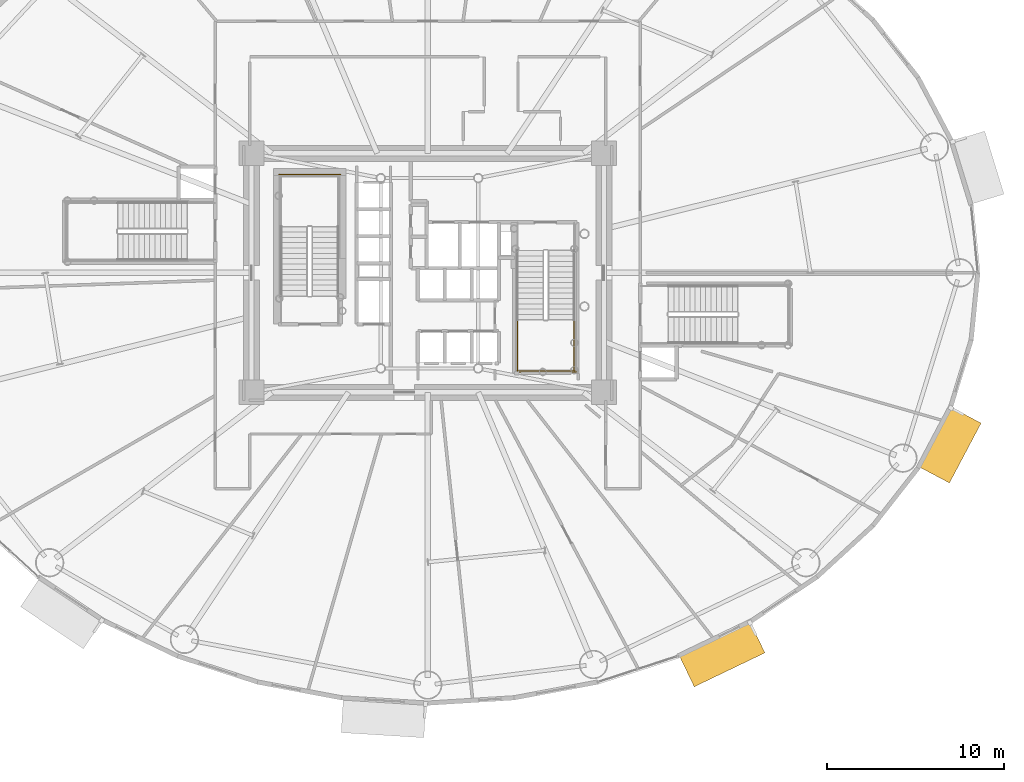
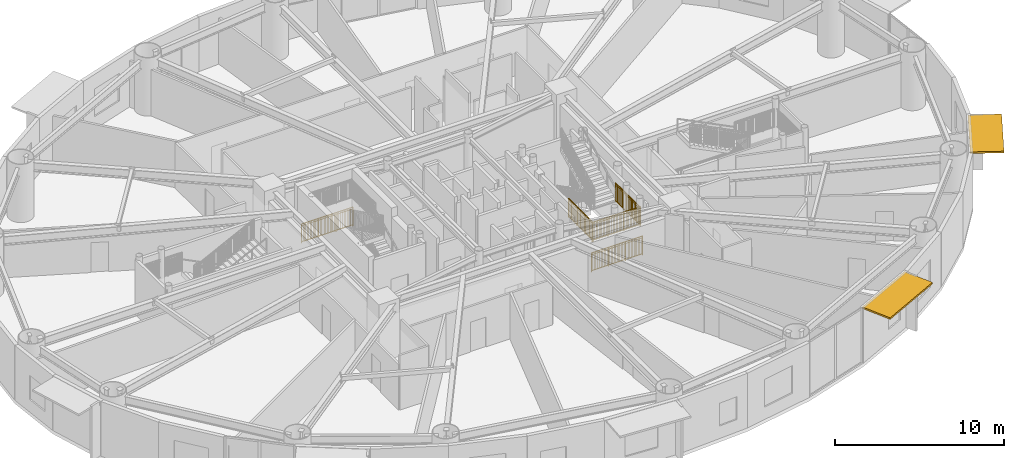
# One storey, part 27 of 32: 5 railings, 2 shading devices.
"""IFC4 building model written with IfcOpenShell, lengths in metres."""

from ifc_helpers import new_model, si_unit, direction, frame, origin, origin_2d, place, context, subcontext, project, spatial, rectangle, extrude, source, transform, mapped, material, layer, layer_set, type_object, element, save


model = new_model("IFC4")

# Units and contexts
model_context = context("Model", 3, precision=1e-05, world=origin(), true_north=direction((0.0, 1.0)))
body_context = subcontext(model_context, "Body", "Model", "MODEL_VIEW")
ifc_project = project(units=[si_unit("LENGTHUNIT", "METRE"), si_unit("AREAUNIT", "SQUARE_METRE"), si_unit("VOLUMEUNIT", "CUBIC_METRE"), si_unit("PLANEANGLEUNIT", "RADIAN"), si_unit("MASSUNIT", "GRAM", prefix="KILO")], contexts=[model_context])

# Site, building, storey
site_placement = place(None, origin())
site = spatial("IfcSite", under=ifc_project, at=site_placement, CompositionType="ELEMENT")
building_placement = place(site_placement, origin())
building = spatial("IfcBuilding", under=site, at=building_placement, Name="Linh Dai School and Residence Tower", CompositionType="ELEMENT")
storey_placement = place(building_placement, frame((0.0, 0.0, 53.39990234375)))
storey = spatial("IfcBuildingStorey", under=building, at=storey_placement, Name="L12", CompositionType="ELEMENT", Elevation=53.39990234375)

# Shading devices
ifc_material_1 = material(Name="Terracotta Ceramic Sunshade", Category="masonry")
ifc_layer = layer(ifc_material_1, 0.1201171875)
ifc_layer_set = layer_set([ifc_layer], Name="Terracotta Ceramic Sunshade")
shading_device_type = type_object("IfcShadingDeviceType", Name="SHD-TC-2000", PredefinedType="USERDEFINED", material=ifc_layer_set)
shared_shape_1 = source(origin(), body_context, "Body", "SweptSolid", [
    extrude(rectangle(XDim=4.428466796875, YDim=2.0, at=origin_2d()), origin(), (0.0, 0.0, 1.0), 0.1201171875),
])
shading_device_1_placement = place(storey_placement, frame((52.613037109375, 5.48095703125, 3.81005859375), z_axis=(0.0, 0.0, 1.0), x_axis=(-0.901584514626, -0.432603008528, 0.0)))
element("IfcShadingDevice", 1, at=shading_device_1_placement, inside=storey, type_object=shading_device_type, Name="L12 Terracotta Horizontal Sunshade Band 34", ObjectType="SUNSHADE", PredefinedType="USERDEFINED", context=body_context, shape_type="MappedRepresentation", body=[
    mapped(shared_shape_1, transform((0.0, 0.0, 0.0), x_axis=(1.0, 0.0, 0.0), y_axis=(0.0, 1.0, 0.0), z_axis=(0.0, 0.0, 1.0), scale=1.0)),
])
shared_shape_2 = source(origin(), body_context, "Body", "SweptSolid", [
    extrude(rectangle(XDim=3.824462890625, YDim=2.0, at=origin_2d()), origin(), (0.0, 0.0, 1.0), 0.1201171875),
])
shading_device_2_placement = place(storey_placement, frame((65.474609375, 17.2890625, 3.81005859375), z_axis=(0.0, 0.0, 1.0), x_axis=(-0.467611940042, -0.883933862645, 0.0)))
element("IfcShadingDevice", 2, at=shading_device_2_placement, inside=storey, type_object=shading_device_type, Name="L12 Terracotta Horizontal Sunshade Band 38", ObjectType="SUNSHADE", PredefinedType="USERDEFINED", context=body_context, shape_type="MappedRepresentation", body=[
    mapped(shared_shape_2, transform((0.0, 0.0, 0.0), x_axis=(1.0, 0.0, 0.0), y_axis=(0.0, 1.0, 0.0), z_axis=(0.0, 0.0, 1.0), scale=1.0)),
])

# Railings
ifc_material_2 = material(Name="Structural Steel S355JR", Category="steel")
railing_type = type_object("IfcRailingType", Name="RL-ST-GUARD-1400", PredefinedType="GUARDRAIL", material=ifc_material_2)
shared_shape_3 = source(origin(), body_context, "Body", "SweptSolid", [
    extrude(rectangle(XDim=0.048095703125, YDim=0.048095703125, at=origin_2d()), frame((0.0, 0.0, 1.3759765625), z_axis=(-1.0, 0.0, 0.0), x_axis=(0.0, -1.0, 0.0)), (0.0, 0.0, 1.0), 3.5),
    extrude(rectangle(XDim=0.048095703125, YDim=0.048095703125, at=origin_2d()), frame((0.0, 0.0, 0.10009765625), z_axis=(-1.0, 0.0, 0.0), x_axis=(0.0, -1.0, 0.0)), (0.0, 0.0, 1.0), 3.5),
    extrude(rectangle(XDim=0.030029296875, YDim=0.030029296875, at=origin_2d()), frame((0.0, 0.0, 1.239990234375), z_axis=(-1.0, 0.0, 0.0), x_axis=(0.0, -1.0, 0.0)), (0.0, 0.0, 1.0), 3.5),
    extrude(rectangle(XDim=0.02001953125, YDim=0.02001953125, at=origin_2d()), frame((-0.09716796875, 0.0, 0.10009765625)), (0.0, 0.0, 1.0), 1.251708984375),
    extrude(rectangle(XDim=0.02001953125, YDim=0.02001953125, at=origin_2d()), frame((-0.1943359375, 0.0, 0.10009765625)), (0.0, 0.0, 1.0), 1.251708984375),
    extrude(rectangle(XDim=0.02001953125, YDim=0.02001953125, at=origin_2d()), frame((-0.291748046875, 0.0, 0.10009765625)), (0.0, 0.0, 1.0), 1.251708984375),
    extrude(rectangle(XDim=0.02001953125, YDim=0.02001953125, at=origin_2d()), frame((-0.388916015625, 0.0, 0.10009765625)), (0.0, 0.0, 1.0), 1.251708984375),
    extrude(rectangle(XDim=0.02001953125, YDim=0.02001953125, at=origin_2d()), frame((-0.486083984375, 0.0, 0.10009765625)), (0.0, 0.0, 1.0), 1.251708984375),
    extrude(rectangle(XDim=0.02001953125, YDim=0.02001953125, at=origin_2d()), frame((-0.583251953125, 0.0, 0.10009765625)), (0.0, 0.0, 1.0), 1.251708984375),
    extrude(rectangle(XDim=0.02001953125, YDim=0.02001953125, at=origin_2d()), frame((-0.6806640625, 0.0, 0.10009765625)), (0.0, 0.0, 1.0), 1.251708984375),
    extrude(rectangle(XDim=0.02001953125, YDim=0.02001953125, at=origin_2d()), frame((-0.77783203125, 0.0, 0.10009765625)), (0.0, 0.0, 1.0), 1.251708984375),
    extrude(rectangle(XDim=0.02001953125, YDim=0.02001953125, at=origin_2d()), frame((-0.875, 0.0, 0.10009765625)), (0.0, 0.0, 1.0), 1.251708984375),
    extrude(rectangle(XDim=0.02001953125, YDim=0.02001953125, at=origin_2d()), frame((-0.97216796875, 0.0, 0.10009765625)), (0.0, 0.0, 1.0), 1.251708984375),
    extrude(rectangle(XDim=0.02001953125, YDim=0.02001953125, at=origin_2d()), frame((-1.0693359375, 0.0, 0.10009765625)), (0.0, 0.0, 1.0), 1.251708984375),
    extrude(rectangle(XDim=0.02001953125, YDim=0.02001953125, at=origin_2d()), frame((-1.263916015625, 0.0, 0.10009765625)), (0.0, 0.0, 1.0), 1.251708984375),
    extrude(rectangle(XDim=0.02001953125, YDim=0.02001953125, at=origin_2d()), frame((-1.361083984375, 0.0, 0.10009765625)), (0.0, 0.0, 1.0), 1.251708984375),
    extrude(rectangle(XDim=0.02001953125, YDim=0.02001953125, at=origin_2d()), frame((-1.458251953125, 0.0, 0.10009765625)), (0.0, 0.0, 1.0), 1.251708984375),
    extrude(rectangle(XDim=0.02001953125, YDim=0.02001953125, at=origin_2d()), frame((-1.5556640625, 0.0, 0.10009765625)), (0.0, 0.0, 1.0), 1.251708984375),
    extrude(rectangle(XDim=0.02001953125, YDim=0.02001953125, at=origin_2d()), frame((-1.65283203125, 0.0, 0.10009765625)), (0.0, 0.0, 1.0), 1.251708984375),
    extrude(rectangle(XDim=0.02001953125, YDim=0.02001953125, at=origin_2d()), frame((-1.75, 0.0, 0.10009765625)), (0.0, 0.0, 1.0), 1.251708984375),
    extrude(rectangle(XDim=0.02001953125, YDim=0.02001953125, at=origin_2d()), frame((-1.84716796875, 0.0, 0.10009765625)), (0.0, 0.0, 1.0), 1.251708984375),
    extrude(rectangle(XDim=0.02001953125, YDim=0.02001953125, at=origin_2d()), frame((-1.9443359375, 0.0, 0.10009765625)), (0.0, 0.0, 1.0), 1.251708984375),
    extrude(rectangle(XDim=0.02001953125, YDim=0.02001953125, at=origin_2d()), frame((-2.041748046875, 0.0, 0.10009765625)), (0.0, 0.0, 1.0), 1.251708984375),
    extrude(rectangle(XDim=0.02001953125, YDim=0.02001953125, at=origin_2d()), frame((-2.138916015625, 0.0, 0.10009765625)), (0.0, 0.0, 1.0), 1.251708984375),
    extrude(rectangle(XDim=0.02001953125, YDim=0.02001953125, at=origin_2d()), frame((-2.236083984375, 0.0, 0.10009765625)), (0.0, 0.0, 1.0), 1.251708984375),
    extrude(rectangle(XDim=0.02001953125, YDim=0.02001953125, at=origin_2d()), frame((-2.4306640625, 0.0, 0.10009765625)), (0.0, 0.0, 1.0), 1.251708984375),
    extrude(rectangle(XDim=0.02001953125, YDim=0.02001953125, at=origin_2d()), frame((-2.52783203125, 0.0, 0.10009765625)), (0.0, 0.0, 1.0), 1.251708984375),
    extrude(rectangle(XDim=0.02001953125, YDim=0.02001953125, at=origin_2d()), frame((-2.625, 0.0, 0.10009765625)), (0.0, 0.0, 1.0), 1.251708984375),
    extrude(rectangle(XDim=0.02001953125, YDim=0.02001953125, at=origin_2d()), frame((-2.72216796875, 0.0, 0.10009765625)), (0.0, 0.0, 1.0), 1.251708984375),
    extrude(rectangle(XDim=0.02001953125, YDim=0.02001953125, at=origin_2d()), frame((-2.8193359375, 0.0, 0.10009765625)), (0.0, 0.0, 1.0), 1.251708984375),
    extrude(rectangle(XDim=0.02001953125, YDim=0.02001953125, at=origin_2d()), frame((-2.916748046875, 0.0, 0.10009765625)), (0.0, 0.0, 1.0), 1.251708984375),
    extrude(rectangle(XDim=0.02001953125, YDim=0.02001953125, at=origin_2d()), frame((-3.013916015625, 0.0, 0.10009765625)), (0.0, 0.0, 1.0), 1.251708984375),
    extrude(rectangle(XDim=0.02001953125, YDim=0.02001953125, at=origin_2d()), frame((-3.111083984375, 0.0, 0.10009765625)), (0.0, 0.0, 1.0), 1.251708984375),
    extrude(rectangle(XDim=0.02001953125, YDim=0.02001953125, at=origin_2d()), frame((-3.208251953125, 0.0, 0.10009765625)), (0.0, 0.0, 1.0), 1.251708984375),
    extrude(rectangle(XDim=0.02001953125, YDim=0.02001953125, at=origin_2d()), frame((-3.3056640625, 0.0, 0.10009765625)), (0.0, 0.0, 1.0), 1.251708984375),
    extrude(rectangle(XDim=0.02001953125, YDim=0.02001953125, at=origin_2d()), frame((-3.40283203125, 0.0, 0.10009765625)), (0.0, 0.0, 1.0), 1.251708984375),
    extrude(rectangle(XDim=0.0419921875, YDim=0.0419921875, at=origin_2d()), origin(), (0.0, 0.0, 1.0), 1.3759765625),
    extrude(rectangle(XDim=0.0419921875, YDim=0.0419921875, at=origin_2d()), frame((-1.166748046875, 0.0, 0.0)), (0.0, 0.0, 1.0), 1.3759765625),
    extrude(rectangle(XDim=0.0419921875, YDim=0.0419921875, at=origin_2d()), frame((-2.333251953125, 0.0, 0.0)), (0.0, 0.0, 1.0), 1.3759765625),
    extrude(rectangle(XDim=0.0419921875, YDim=0.0419921875, at=origin_2d()), frame((-3.5, 0.0, 0.0)), (0.0, 0.0, 1.0), 1.3759765625),
])
railing_1_placement = place(storey_placement, frame((31.080078125, 32.550048828125, 0.0)))
element("IfcRailing", 3, at=railing_1_placement, inside=storey, type_object=railing_type, Name="L12 ST1 stair guard 12", PredefinedType="GUARDRAIL", context=body_context, shape_type="MappedRepresentation", body=[
    mapped(shared_shape_3, transform((0.0, 0.0, 0.0), x_axis=(1.0, 0.0, 0.0), y_axis=(0.0, 1.0, 0.0), z_axis=(0.0, 0.0, 1.0), scale=1.0)),
])
shared_shape_4 = source(origin(), body_context, "Body", "SweptSolid", [
    extrude(rectangle(XDim=0.048095703125, YDim=0.048095703125, at=origin_2d()), frame((0.0, 0.0, 1.3759765625), z_axis=(1.0, 0.0, 0.0), x_axis=(0.0, 1.0, 0.0)), (0.0, 0.0, 1.0), 3.300048828125),
    extrude(rectangle(XDim=0.048095703125, YDim=0.048095703125, at=origin_2d()), frame((0.0, 0.0, 0.10009765625), z_axis=(1.0, 0.0, 0.0), x_axis=(0.0, 1.0, 0.0)), (0.0, 0.0, 1.0), 3.300048828125),
    extrude(rectangle(XDim=0.030029296875, YDim=0.030029296875, at=origin_2d()), frame((0.0, 0.0, 1.239990234375), z_axis=(1.0, 0.0, 0.0), x_axis=(0.0, 1.0, 0.0)), (0.0, 0.0, 1.0), 3.300048828125),
    extrude(rectangle(XDim=0.02001953125, YDim=0.02001953125, at=origin_2d()), frame((0.09716796875, 0.0, 0.10009765625)), (0.0, 0.0, 1.0), 1.251708984375),
    extrude(rectangle(XDim=0.02001953125, YDim=0.02001953125, at=origin_2d()), frame((0.194091796875, 0.0, 0.10009765625)), (0.0, 0.0, 1.0), 1.251708984375),
    extrude(rectangle(XDim=0.02001953125, YDim=0.02001953125, at=origin_2d()), frame((0.291259765625, 0.0, 0.10009765625)), (0.0, 0.0, 1.0), 1.251708984375),
    extrude(rectangle(XDim=0.02001953125, YDim=0.02001953125, at=origin_2d()), frame((0.38818359375, 0.0, 0.10009765625)), (0.0, 0.0, 1.0), 1.251708984375),
    extrude(rectangle(XDim=0.02001953125, YDim=0.02001953125, at=origin_2d()), frame((0.4853515625, 0.0, 0.10009765625)), (0.0, 0.0, 1.0), 1.251708984375),
    extrude(rectangle(XDim=0.02001953125, YDim=0.02001953125, at=origin_2d()), frame((0.582275390625, 0.0, 0.10009765625)), (0.0, 0.0, 1.0), 1.251708984375),
    extrude(rectangle(XDim=0.02001953125, YDim=0.02001953125, at=origin_2d()), frame((0.679443359375, 0.0, 0.10009765625)), (0.0, 0.0, 1.0), 1.251708984375),
    extrude(rectangle(XDim=0.02001953125, YDim=0.02001953125, at=origin_2d()), frame((0.7763671875, 0.0, 0.10009765625)), (0.0, 0.0, 1.0), 1.251708984375),
    extrude(rectangle(XDim=0.02001953125, YDim=0.02001953125, at=origin_2d()), frame((0.87353515625, 0.0, 0.10009765625)), (0.0, 0.0, 1.0), 1.251708984375),
    extrude(rectangle(XDim=0.02001953125, YDim=0.02001953125, at=origin_2d()), frame((0.970703125, 0.0, 0.10009765625)), (0.0, 0.0, 1.0), 1.251708984375),
    extrude(rectangle(XDim=0.02001953125, YDim=0.02001953125, at=origin_2d()), frame((1.164794921875, 0.0, 0.10009765625)), (0.0, 0.0, 1.0), 1.251708984375),
    extrude(rectangle(XDim=0.02001953125, YDim=0.02001953125, at=origin_2d()), frame((1.26171875, 0.0, 0.10009765625)), (0.0, 0.0, 1.0), 1.251708984375),
    extrude(rectangle(XDim=0.02001953125, YDim=0.02001953125, at=origin_2d()), frame((1.35888671875, 0.0, 0.10009765625)), (0.0, 0.0, 1.0), 1.251708984375),
    extrude(rectangle(XDim=0.02001953125, YDim=0.02001953125, at=origin_2d()), frame((1.455810546875, 0.0, 0.10009765625)), (0.0, 0.0, 1.0), 1.251708984375),
    extrude(rectangle(XDim=0.02001953125, YDim=0.02001953125, at=origin_2d()), frame((1.552978515625, 0.0, 0.10009765625)), (0.0, 0.0, 1.0), 1.251708984375),
    extrude(rectangle(XDim=0.02001953125, YDim=0.02001953125, at=origin_2d()), frame((1.64990234375, 0.0, 0.10009765625)), (0.0, 0.0, 1.0), 1.251708984375),
    extrude(rectangle(XDim=0.02001953125, YDim=0.02001953125, at=origin_2d()), frame((1.7470703125, 0.0, 0.10009765625)), (0.0, 0.0, 1.0), 1.251708984375),
    extrude(rectangle(XDim=0.02001953125, YDim=0.02001953125, at=origin_2d()), frame((1.84423828125, 0.0, 0.10009765625)), (0.0, 0.0, 1.0), 1.251708984375),
    extrude(rectangle(XDim=0.02001953125, YDim=0.02001953125, at=origin_2d()), frame((1.941162109375, 0.0, 0.10009765625)), (0.0, 0.0, 1.0), 1.251708984375),
    extrude(rectangle(XDim=0.02001953125, YDim=0.02001953125, at=origin_2d()), frame((2.038330078125, 0.0, 0.10009765625)), (0.0, 0.0, 1.0), 1.251708984375),
    extrude(rectangle(XDim=0.02001953125, YDim=0.02001953125, at=origin_2d()), frame((2.13525390625, 0.0, 0.10009765625)), (0.0, 0.0, 1.0), 1.251708984375),
    extrude(rectangle(XDim=0.02001953125, YDim=0.02001953125, at=origin_2d()), frame((2.329345703125, 0.0, 0.10009765625)), (0.0, 0.0, 1.0), 1.251708984375),
    extrude(rectangle(XDim=0.02001953125, YDim=0.02001953125, at=origin_2d()), frame((2.426513671875, 0.0, 0.10009765625)), (0.0, 0.0, 1.0), 1.251708984375),
    extrude(rectangle(XDim=0.02001953125, YDim=0.02001953125, at=origin_2d()), frame((2.523681640625, 0.0, 0.10009765625)), (0.0, 0.0, 1.0), 1.251708984375),
    extrude(rectangle(XDim=0.02001953125, YDim=0.02001953125, at=origin_2d()), frame((2.62060546875, 0.0, 0.10009765625)), (0.0, 0.0, 1.0), 1.251708984375),
    extrude(rectangle(XDim=0.02001953125, YDim=0.02001953125, at=origin_2d()), frame((2.7177734375, 0.0, 0.10009765625)), (0.0, 0.0, 1.0), 1.251708984375),
    extrude(rectangle(XDim=0.02001953125, YDim=0.02001953125, at=origin_2d()), frame((2.814697265625, 0.0, 0.10009765625)), (0.0, 0.0, 1.0), 1.251708984375),
    extrude(rectangle(XDim=0.02001953125, YDim=0.02001953125, at=origin_2d()), frame((2.911865234375, 0.0, 0.10009765625)), (0.0, 0.0, 1.0), 1.251708984375),
    extrude(rectangle(XDim=0.02001953125, YDim=0.02001953125, at=origin_2d()), frame((3.0087890625, 0.0, 0.10009765625)), (0.0, 0.0, 1.0), 1.251708984375),
    extrude(rectangle(XDim=0.02001953125, YDim=0.02001953125, at=origin_2d()), frame((3.10595703125, 0.0, 0.10009765625)), (0.0, 0.0, 1.0), 1.251708984375),
    extrude(rectangle(XDim=0.02001953125, YDim=0.02001953125, at=origin_2d()), frame((3.202880859375, 0.0, 0.10009765625)), (0.0, 0.0, 1.0), 1.251708984375),
    extrude(rectangle(XDim=0.0419921875, YDim=0.0419921875, at=origin_2d()), origin(), (0.0, 0.0, 1.0), 1.3759765625),
    extrude(rectangle(XDim=0.0419921875, YDim=0.0419921875, at=origin_2d()), frame((1.10009765625, 0.0, 0.0)), (0.0, 0.0, 1.0), 1.3759765625),
    extrude(rectangle(XDim=0.0419921875, YDim=0.0419921875, at=origin_2d()), frame((2.199951171875, 0.0, 0.0)), (0.0, 0.0, 1.0), 1.3759765625),
    extrude(rectangle(XDim=0.0419921875, YDim=0.0419921875, at=origin_2d()), frame((3.300048828125, 0.0, 0.0)), (0.0, 0.0, 1.0), 1.3759765625),
])
railing_2_placement = place(storey_placement, frame((41.02001953125, 21.5, 2.10009765625)))
element("IfcRailing", 4, at=railing_2_placement, inside=storey, type_object=railing_type, Name="L12 ST2 stair guard 5", PredefinedType="GUARDRAIL", context=body_context, shape_type="MappedRepresentation", body=[
    mapped(shared_shape_4, transform((0.0, 0.0, 0.0), x_axis=(1.0, 0.0, 0.0), y_axis=(0.0, 1.0, 0.0), z_axis=(0.0, 0.0, 1.0), scale=1.0)),
])
shared_shape_5 = source(origin(), body_context, "Body", "SweptSolid", [
    extrude(rectangle(XDim=0.048095703125, YDim=0.048095703125, at=origin_2d()), frame((0.0, 0.0, 1.3759765625), z_axis=(1.0, 0.0, 0.0), x_axis=(0.0, 1.0, 0.0)), (0.0, 0.0, 1.0), 3.5),
    extrude(rectangle(XDim=0.048095703125, YDim=0.048095703125, at=origin_2d()), frame((0.0, 0.0, 0.10009765625), z_axis=(1.0, 0.0, 0.0), x_axis=(0.0, 1.0, 0.0)), (0.0, 0.0, 1.0), 3.5),
    extrude(rectangle(XDim=0.030029296875, YDim=0.030029296875, at=origin_2d()), frame((0.0, 0.0, 1.239990234375), z_axis=(1.0, 0.0, 0.0), x_axis=(0.0, 1.0, 0.0)), (0.0, 0.0, 1.0), 3.5),
    extrude(rectangle(XDim=0.02001953125, YDim=0.02001953125, at=origin_2d()), frame((0.09716796875, 0.0, 0.10009765625)), (0.0, 0.0, 1.0), 1.251708984375),
    extrude(rectangle(XDim=0.02001953125, YDim=0.02001953125, at=origin_2d()), frame((0.1943359375, 0.0, 0.10009765625)), (0.0, 0.0, 1.0), 1.251708984375),
    extrude(rectangle(XDim=0.02001953125, YDim=0.02001953125, at=origin_2d()), frame((0.291748046875, 0.0, 0.10009765625)), (0.0, 0.0, 1.0), 1.251708984375),
    extrude(rectangle(XDim=0.02001953125, YDim=0.02001953125, at=origin_2d()), frame((0.388916015625, 0.0, 0.10009765625)), (0.0, 0.0, 1.0), 1.251708984375),
    extrude(rectangle(XDim=0.02001953125, YDim=0.02001953125, at=origin_2d()), frame((0.486083984375, 0.0, 0.10009765625)), (0.0, 0.0, 1.0), 1.251708984375),
    extrude(rectangle(XDim=0.02001953125, YDim=0.02001953125, at=origin_2d()), frame((0.583251953125, 0.0, 0.10009765625)), (0.0, 0.0, 1.0), 1.251708984375),
    extrude(rectangle(XDim=0.02001953125, YDim=0.02001953125, at=origin_2d()), frame((0.6806640625, 0.0, 0.10009765625)), (0.0, 0.0, 1.0), 1.251708984375),
    extrude(rectangle(XDim=0.02001953125, YDim=0.02001953125, at=origin_2d()), frame((0.77783203125, 0.0, 0.10009765625)), (0.0, 0.0, 1.0), 1.251708984375),
    extrude(rectangle(XDim=0.02001953125, YDim=0.02001953125, at=origin_2d()), frame((0.875, 0.0, 0.10009765625)), (0.0, 0.0, 1.0), 1.251708984375),
    extrude(rectangle(XDim=0.02001953125, YDim=0.02001953125, at=origin_2d()), frame((0.97216796875, 0.0, 0.10009765625)), (0.0, 0.0, 1.0), 1.251708984375),
    extrude(rectangle(XDim=0.02001953125, YDim=0.02001953125, at=origin_2d()), frame((1.0693359375, 0.0, 0.10009765625)), (0.0, 0.0, 1.0), 1.251708984375),
    extrude(rectangle(XDim=0.02001953125, YDim=0.02001953125, at=origin_2d()), frame((1.263916015625, 0.0, 0.10009765625)), (0.0, 0.0, 1.0), 1.251708984375),
    extrude(rectangle(XDim=0.02001953125, YDim=0.02001953125, at=origin_2d()), frame((1.361083984375, 0.0, 0.10009765625)), (0.0, 0.0, 1.0), 1.251708984375),
    extrude(rectangle(XDim=0.02001953125, YDim=0.02001953125, at=origin_2d()), frame((1.458251953125, 0.0, 0.10009765625)), (0.0, 0.0, 1.0), 1.251708984375),
    extrude(rectangle(XDim=0.02001953125, YDim=0.02001953125, at=origin_2d()), frame((1.5556640625, 0.0, 0.10009765625)), (0.0, 0.0, 1.0), 1.251708984375),
    extrude(rectangle(XDim=0.02001953125, YDim=0.02001953125, at=origin_2d()), frame((1.65283203125, 0.0, 0.10009765625)), (0.0, 0.0, 1.0), 1.251708984375),
    extrude(rectangle(XDim=0.02001953125, YDim=0.02001953125, at=origin_2d()), frame((1.75, 0.0, 0.10009765625)), (0.0, 0.0, 1.0), 1.251708984375),
    extrude(rectangle(XDim=0.02001953125, YDim=0.02001953125, at=origin_2d()), frame((1.84716796875, 0.0, 0.10009765625)), (0.0, 0.0, 1.0), 1.251708984375),
    extrude(rectangle(XDim=0.02001953125, YDim=0.02001953125, at=origin_2d()), frame((1.9443359375, 0.0, 0.10009765625)), (0.0, 0.0, 1.0), 1.251708984375),
    extrude(rectangle(XDim=0.02001953125, YDim=0.02001953125, at=origin_2d()), frame((2.041748046875, 0.0, 0.10009765625)), (0.0, 0.0, 1.0), 1.251708984375),
    extrude(rectangle(XDim=0.02001953125, YDim=0.02001953125, at=origin_2d()), frame((2.138916015625, 0.0, 0.10009765625)), (0.0, 0.0, 1.0), 1.251708984375),
    extrude(rectangle(XDim=0.02001953125, YDim=0.02001953125, at=origin_2d()), frame((2.236083984375, 0.0, 0.10009765625)), (0.0, 0.0, 1.0), 1.251708984375),
    extrude(rectangle(XDim=0.02001953125, YDim=0.02001953125, at=origin_2d()), frame((2.4306640625, 0.0, 0.10009765625)), (0.0, 0.0, 1.0), 1.251708984375),
    extrude(rectangle(XDim=0.02001953125, YDim=0.02001953125, at=origin_2d()), frame((2.52783203125, 0.0, 0.10009765625)), (0.0, 0.0, 1.0), 1.251708984375),
    extrude(rectangle(XDim=0.02001953125, YDim=0.02001953125, at=origin_2d()), frame((2.625, 0.0, 0.10009765625)), (0.0, 0.0, 1.0), 1.251708984375),
    extrude(rectangle(XDim=0.02001953125, YDim=0.02001953125, at=origin_2d()), frame((2.72216796875, 0.0, 0.10009765625)), (0.0, 0.0, 1.0), 1.251708984375),
    extrude(rectangle(XDim=0.02001953125, YDim=0.02001953125, at=origin_2d()), frame((2.8193359375, 0.0, 0.10009765625)), (0.0, 0.0, 1.0), 1.251708984375),
    extrude(rectangle(XDim=0.02001953125, YDim=0.02001953125, at=origin_2d()), frame((2.916748046875, 0.0, 0.10009765625)), (0.0, 0.0, 1.0), 1.251708984375),
    extrude(rectangle(XDim=0.02001953125, YDim=0.02001953125, at=origin_2d()), frame((3.013916015625, 0.0, 0.10009765625)), (0.0, 0.0, 1.0), 1.251708984375),
    extrude(rectangle(XDim=0.02001953125, YDim=0.02001953125, at=origin_2d()), frame((3.111083984375, 0.0, 0.10009765625)), (0.0, 0.0, 1.0), 1.251708984375),
    extrude(rectangle(XDim=0.02001953125, YDim=0.02001953125, at=origin_2d()), frame((3.208251953125, 0.0, 0.10009765625)), (0.0, 0.0, 1.0), 1.251708984375),
    extrude(rectangle(XDim=0.02001953125, YDim=0.02001953125, at=origin_2d()), frame((3.3056640625, 0.0, 0.10009765625)), (0.0, 0.0, 1.0), 1.251708984375),
    extrude(rectangle(XDim=0.02001953125, YDim=0.02001953125, at=origin_2d()), frame((3.40283203125, 0.0, 0.10009765625)), (0.0, 0.0, 1.0), 1.251708984375),
    extrude(rectangle(XDim=0.0419921875, YDim=0.0419921875, at=origin_2d()), origin(), (0.0, 0.0, 1.0), 1.3759765625),
    extrude(rectangle(XDim=0.0419921875, YDim=0.0419921875, at=origin_2d()), frame((1.166748046875, 0.0, 0.0)), (0.0, 0.0, 1.0), 1.3759765625),
    extrude(rectangle(XDim=0.0419921875, YDim=0.0419921875, at=origin_2d()), frame((2.333251953125, 0.0, 0.0)), (0.0, 0.0, 1.0), 1.3759765625),
    extrude(rectangle(XDim=0.0419921875, YDim=0.0419921875, at=origin_2d()), frame((3.5, 0.0, 0.0)), (0.0, 0.0, 1.0), 1.3759765625),
])
railing_3_placement = place(storey_placement, frame((40.919921875, 21.39990234375, 0.0)))
element("IfcRailing", 5, at=railing_3_placement, inside=storey, type_object=railing_type, Name="L12 ST2 stair guard 12", PredefinedType="GUARDRAIL", context=body_context, shape_type="MappedRepresentation", body=[
    mapped(shared_shape_5, transform((0.0, 0.0, 0.0), x_axis=(1.0, 0.0, 0.0), y_axis=(0.0, 1.0, 0.0), z_axis=(0.0, 0.0, 1.0), scale=1.0)),
])
shared_shape_6 = source(origin(), body_context, "Body", "SweptSolid", [
    extrude(rectangle(XDim=0.048095703125, YDim=0.048095703125, at=origin_2d()), frame((0.0, 0.0, 1.3759765625), z_axis=(0.0, -1.0, 0.0), x_axis=(1.0, 0.0, 0.0)), (0.0, 0.0, 1.0), 2.900146484375),
    extrude(rectangle(XDim=0.048095703125, YDim=0.048095703125, at=origin_2d()), frame((0.0, 0.0, 0.10009765625), z_axis=(0.0, -1.0, 0.0), x_axis=(1.0, 0.0, 0.0)), (0.0, 0.0, 1.0), 2.900146484375),
    extrude(rectangle(XDim=0.030029296875, YDim=0.030029296875, at=origin_2d()), frame((0.0, 0.0, 1.239990234375), z_axis=(0.0, -1.0, 0.0), x_axis=(1.0, 0.0, 0.0)), (0.0, 0.0, 1.0), 2.900146484375),
    extrude(rectangle(XDim=0.02001953125, YDim=0.02001953125, at=origin_2d()), frame((0.0, -0.0966796875, 0.10009765625)), (0.0, 0.0, 1.0), 1.251708984375),
    extrude(rectangle(XDim=0.02001953125, YDim=0.02001953125, at=origin_2d()), frame((0.0, -0.193359375, 0.10009765625)), (0.0, 0.0, 1.0), 1.251708984375),
    extrude(rectangle(XDim=0.02001953125, YDim=0.02001953125, at=origin_2d()), frame((0.0, -0.2900390625, 0.10009765625)), (0.0, 0.0, 1.0), 1.251708984375),
    extrude(rectangle(XDim=0.02001953125, YDim=0.02001953125, at=origin_2d()), frame((0.0, -0.38671875, 0.10009765625)), (0.0, 0.0, 1.0), 1.251708984375),
    extrude(rectangle(XDim=0.02001953125, YDim=0.02001953125, at=origin_2d()), frame((0.0, -0.4833984375, 0.10009765625)), (0.0, 0.0, 1.0), 1.251708984375),
    extrude(rectangle(XDim=0.02001953125, YDim=0.02001953125, at=origin_2d()), frame((0.0, -0.580078125, 0.10009765625)), (0.0, 0.0, 1.0), 1.251708984375),
    extrude(rectangle(XDim=0.02001953125, YDim=0.02001953125, at=origin_2d()), frame((0.0, -0.6767578125, 0.10009765625)), (0.0, 0.0, 1.0), 1.251708984375),
    extrude(rectangle(XDim=0.02001953125, YDim=0.02001953125, at=origin_2d()), frame((0.0, -0.7734375, 0.10009765625)), (0.0, 0.0, 1.0), 1.251708984375),
    extrude(rectangle(XDim=0.02001953125, YDim=0.02001953125, at=origin_2d()), frame((0.0, -0.8701171875, 0.10009765625)), (0.0, 0.0, 1.0), 1.251708984375),
    extrude(rectangle(XDim=0.02001953125, YDim=0.02001953125, at=origin_2d()), frame((0.0, -1.0634765625, 0.10009765625)), (0.0, 0.0, 1.0), 1.251708984375),
    extrude(rectangle(XDim=0.02001953125, YDim=0.02001953125, at=origin_2d()), frame((0.0, -1.16015625, 0.10009765625)), (0.0, 0.0, 1.0), 1.251708984375),
    extrude(rectangle(XDim=0.02001953125, YDim=0.02001953125, at=origin_2d()), frame((0.0, -1.2568359375, 0.10009765625)), (0.0, 0.0, 1.0), 1.251708984375),
    extrude(rectangle(XDim=0.02001953125, YDim=0.02001953125, at=origin_2d()), frame((0.0, -1.353515625, 0.10009765625)), (0.0, 0.0, 1.0), 1.251708984375),
    extrude(rectangle(XDim=0.02001953125, YDim=0.02001953125, at=origin_2d()), frame((0.0, -1.4501953125, 0.10009765625)), (0.0, 0.0, 1.0), 1.251708984375),
    extrude(rectangle(XDim=0.02001953125, YDim=0.02001953125, at=origin_2d()), frame((0.0, -1.546630859375, 0.10009765625)), (0.0, 0.0, 1.0), 1.251708984375),
    extrude(rectangle(XDim=0.02001953125, YDim=0.02001953125, at=origin_2d()), frame((0.0, -1.643310546875, 0.10009765625)), (0.0, 0.0, 1.0), 1.251708984375),
    extrude(rectangle(XDim=0.02001953125, YDim=0.02001953125, at=origin_2d()), frame((0.0, -1.739990234375, 0.10009765625)), (0.0, 0.0, 1.0), 1.251708984375),
    extrude(rectangle(XDim=0.02001953125, YDim=0.02001953125, at=origin_2d()), frame((0.0, -1.836669921875, 0.10009765625)), (0.0, 0.0, 1.0), 1.251708984375),
    extrude(rectangle(XDim=0.02001953125, YDim=0.02001953125, at=origin_2d()), frame((0.0, -2.030029296875, 0.10009765625)), (0.0, 0.0, 1.0), 1.251708984375),
    extrude(rectangle(XDim=0.02001953125, YDim=0.02001953125, at=origin_2d()), frame((0.0, -2.126708984375, 0.10009765625)), (0.0, 0.0, 1.0), 1.251708984375),
    extrude(rectangle(XDim=0.02001953125, YDim=0.02001953125, at=origin_2d()), frame((0.0, -2.223388671875, 0.10009765625)), (0.0, 0.0, 1.0), 1.251708984375),
    extrude(rectangle(XDim=0.02001953125, YDim=0.02001953125, at=origin_2d()), frame((0.0, -2.320068359375, 0.10009765625)), (0.0, 0.0, 1.0), 1.251708984375),
    extrude(rectangle(XDim=0.02001953125, YDim=0.02001953125, at=origin_2d()), frame((0.0, -2.416748046875, 0.10009765625)), (0.0, 0.0, 1.0), 1.251708984375),
    extrude(rectangle(XDim=0.02001953125, YDim=0.02001953125, at=origin_2d()), frame((0.0, -2.513427734375, 0.10009765625)), (0.0, 0.0, 1.0), 1.251708984375),
    extrude(rectangle(XDim=0.02001953125, YDim=0.02001953125, at=origin_2d()), frame((0.0, -2.610107421875, 0.10009765625)), (0.0, 0.0, 1.0), 1.251708984375),
    extrude(rectangle(XDim=0.02001953125, YDim=0.02001953125, at=origin_2d()), frame((0.0, -2.706787109375, 0.10009765625)), (0.0, 0.0, 1.0), 1.251708984375),
    extrude(rectangle(XDim=0.02001953125, YDim=0.02001953125, at=origin_2d()), frame((0.0, -2.803466796875, 0.10009765625)), (0.0, 0.0, 1.0), 1.251708984375),
    extrude(rectangle(XDim=0.0419921875, YDim=0.0419921875, at=origin_2d()), origin(), (0.0, 0.0, 1.0), 1.3759765625),
    extrude(rectangle(XDim=0.0419921875, YDim=0.0419921875, at=origin_2d()), frame((0.0, -0.966796875, 0.0)), (0.0, 0.0, 1.0), 1.3759765625),
    extrude(rectangle(XDim=0.0419921875, YDim=0.0419921875, at=origin_2d()), frame((0.0, -1.933349609375, 0.0)), (0.0, 0.0, 1.0), 1.3759765625),
    extrude(rectangle(XDim=0.0419921875, YDim=0.0419921875, at=origin_2d()), frame((0.0, -2.900146484375, 0.0)), (0.0, 0.0, 1.0), 1.3759765625),
])
for number, where, name in (
    (6, (41.070068359375, 24.35009765625, 2.10009765625), "L12 ST2 stair guard 3"),
    (7, (44.27001953125, 24.35009765625, 2.10009765625), "L12 ST2 stair guard 4"),
):
    element("IfcRailing", number, at=place(storey_placement, frame(where)), inside=storey, type_object=railing_type, Name=name, PredefinedType="GUARDRAIL", context=body_context, shape_type="MappedRepresentation", body=[
        mapped(shared_shape_6, transform((0.0, 0.0, 0.0), x_axis=(1.0, 0.0, 0.0), y_axis=(0.0, 1.0, 0.0), z_axis=(0.0, 0.0, 1.0), scale=1.0)),
    ])

save(model, "model.ifc")
